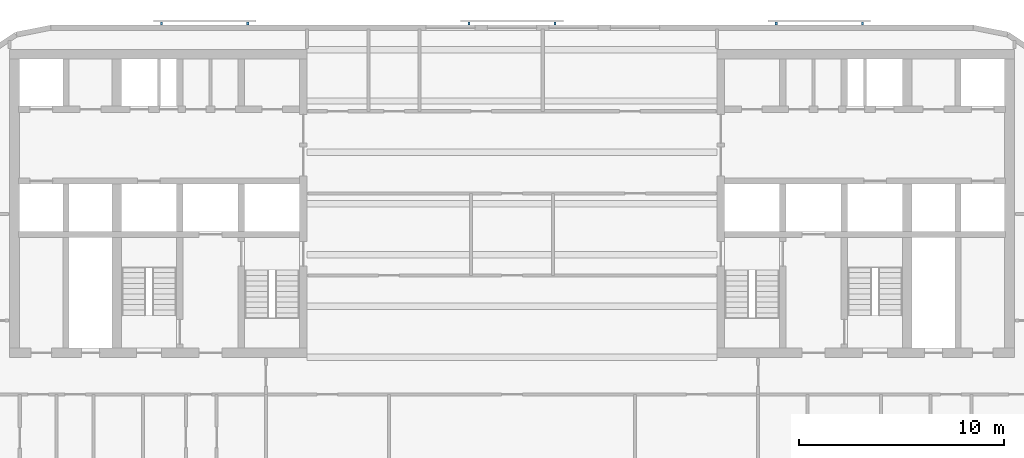
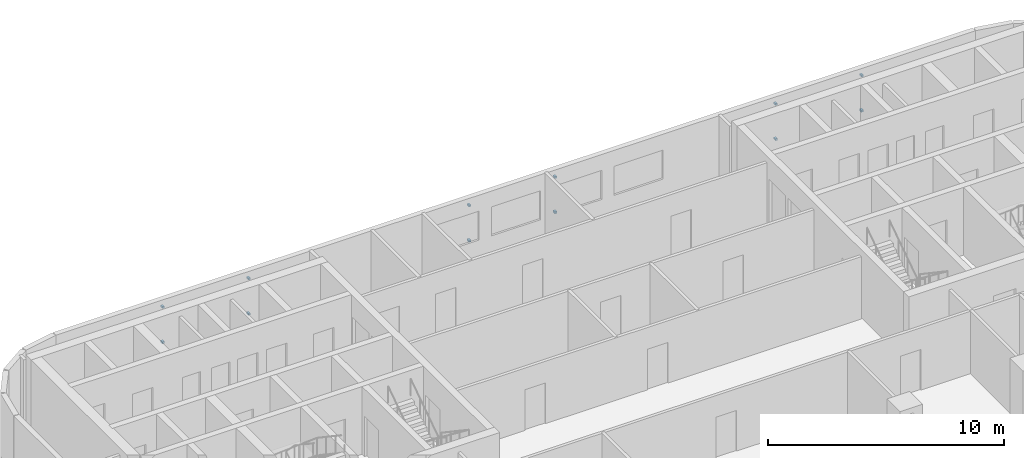
# One storey, part 8 of 11: 12 discrete accessories.
"""IFC4 building model written with IfcOpenShell, lengths in metres."""

from ifc_helpers import new_model, si_unit, direction, frame, origin, origin_2d, place, context, subcontext, project, spatial, rectangle, extrude, material, type_object, element, save


model = new_model("IFC4")

# Units and contexts
model_context = context("Model", 3, precision=1e-05, world=origin(), true_north=direction((0.0, 1.0)))
body_context = subcontext(model_context, "Body", "Model", "MODEL_VIEW")
ifc_project = project(units=[si_unit("LENGTHUNIT", "METRE"), si_unit("AREAUNIT", "SQUARE_METRE"), si_unit("VOLUMEUNIT", "CUBIC_METRE"), si_unit("PLANEANGLEUNIT", "RADIAN"), si_unit("MASSUNIT", "GRAM", prefix="KILO")], contexts=[model_context])

# Site, building, storey
site_placement = place(None, origin())
site = spatial("IfcSite", under=ifc_project, at=site_placement, CompositionType="ELEMENT")
building_placement = place(site_placement, origin())
building = spatial("IfcBuilding", under=site, at=building_placement, Name="Torana Hotel and Residences", CompositionType="ELEMENT")
storey_placement = place(building_placement, frame((0.0, 0.0, 215.10009765625)))
storey = spatial("IfcBuildingStorey", under=building, at=storey_placement, Name="L56", CompositionType="ELEMENT", Elevation=215.10009765625)

# Discrete accessories
ifc_material = material(Name="Steel S355", Category="steel")
discrete_accessory_type = type_object("IfcDiscreteAccessoryType", Name="SCREEN BRACKET 100", PredefinedType="BRACKET", material=ifc_material)
for number, where, z_axis, x_axis, name in (
    (1, (17.08349609375, 1.27490234375, 0.749755859375), (0.0, 0.0, 1.0), (-1.0, 0.0, 0.0), "Screen bracket L56"),
    (2, (17.08349609375, 1.27490234375, 2.56982421875), (0.0, 0.0, 1.0), (-1.0, 0.0, 0.0), "Screen bracket L56"),
    (3, (12.883544921875, 1.27490234375, 0.749755859375), (0.0, 0.0, 1.0), (-1.0, 0.0, 0.0), "Screen bracket L56"),
    (4, (12.883544921875, 1.27490234375, 2.56982421875), (0.0, 0.0, 1.0), (-1.0, 0.0, 0.0), "Screen bracket L56"),
    (5, (2.10009765625, 1.27490234375, 0.749755859375), (0.0, 0.0, 1.0), (-1.0, 0.0, 0.0), "Screen bracket L56"),
    (6, (2.10009765625, 1.27490234375, 2.56982421875), (0.0, 0.0, 1.0), (-1.0, 0.0, 0.0), "Screen bracket L56"),
    (7, (-2.10009765625, 1.27490234375, 0.749755859375), (0.0, 0.0, 1.0), (-1.0, 0.0, 0.0), "Screen bracket L56"),
    (8, (-2.10009765625, 1.27490234375, 2.56982421875), (0.0, 0.0, 1.0), (-1.0, 0.0, 0.0), "Screen bracket L56"),
    (9, (-12.883544921875, 1.27490234375, 0.749755859375), (0.0, 0.0, 1.0), (-1.0, 0.0, 0.0), "Screen bracket L56"),
    (10, (-12.883544921875, 1.27490234375, 2.56982421875), (0.0, 0.0, 1.0), (-1.0, 0.0, 0.0), "Screen bracket L56"),
    (11, (-17.08349609375, 1.27490234375, 0.749755859375), (0.0, 0.0, 1.0), (-1.0, 0.0, 0.0), "Screen bracket L56"),
    (12, (-17.08349609375, 1.27490234375, 2.56982421875), (0.0, 0.0, 1.0), (-1.0, 0.0, 0.0), "Screen bracket L56"),
):
    element("IfcDiscreteAccessory", number, at=place(storey_placement, frame(where, z_axis=z_axis, x_axis=x_axis)), inside=storey, type_object=discrete_accessory_type, Name=name, PredefinedType="BRACKET", context=body_context, shape_type="SweptSolid", body=[
        extrude(rectangle(XDim=0.10009765625, YDim=0.14990234375, at=origin_2d()), origin(), (0.0, 0.0, 1.0), 0.10009765625),
    ])

save(model, "model.ifc")
